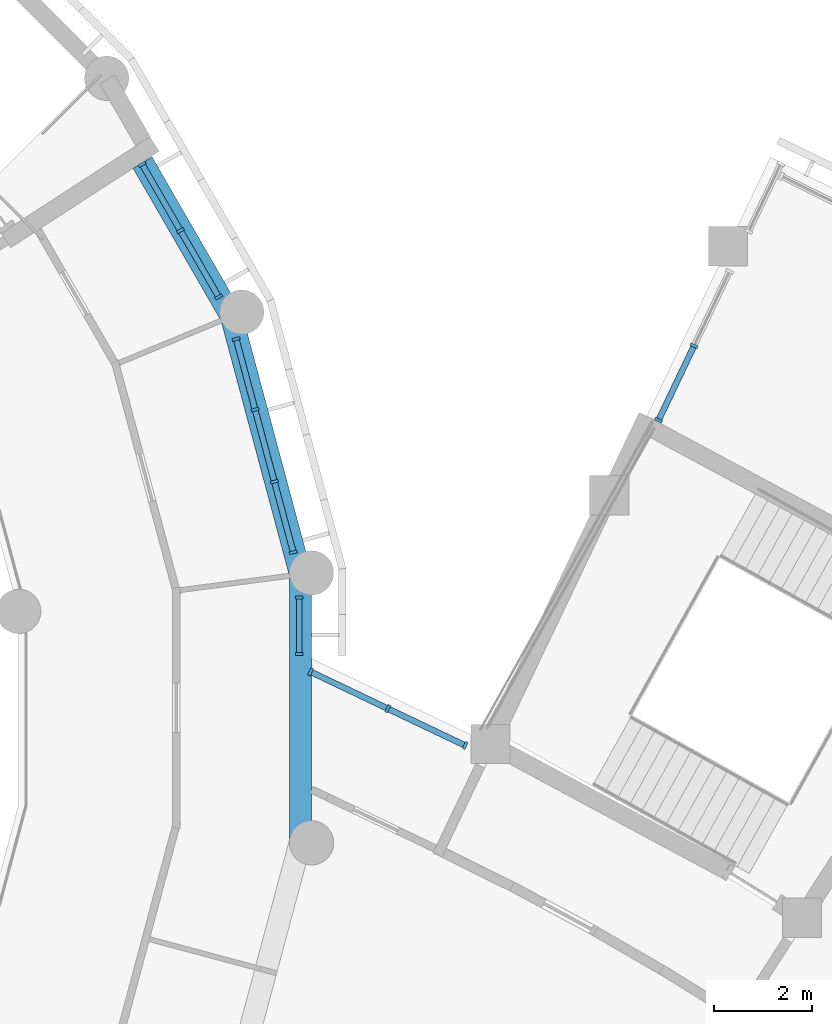
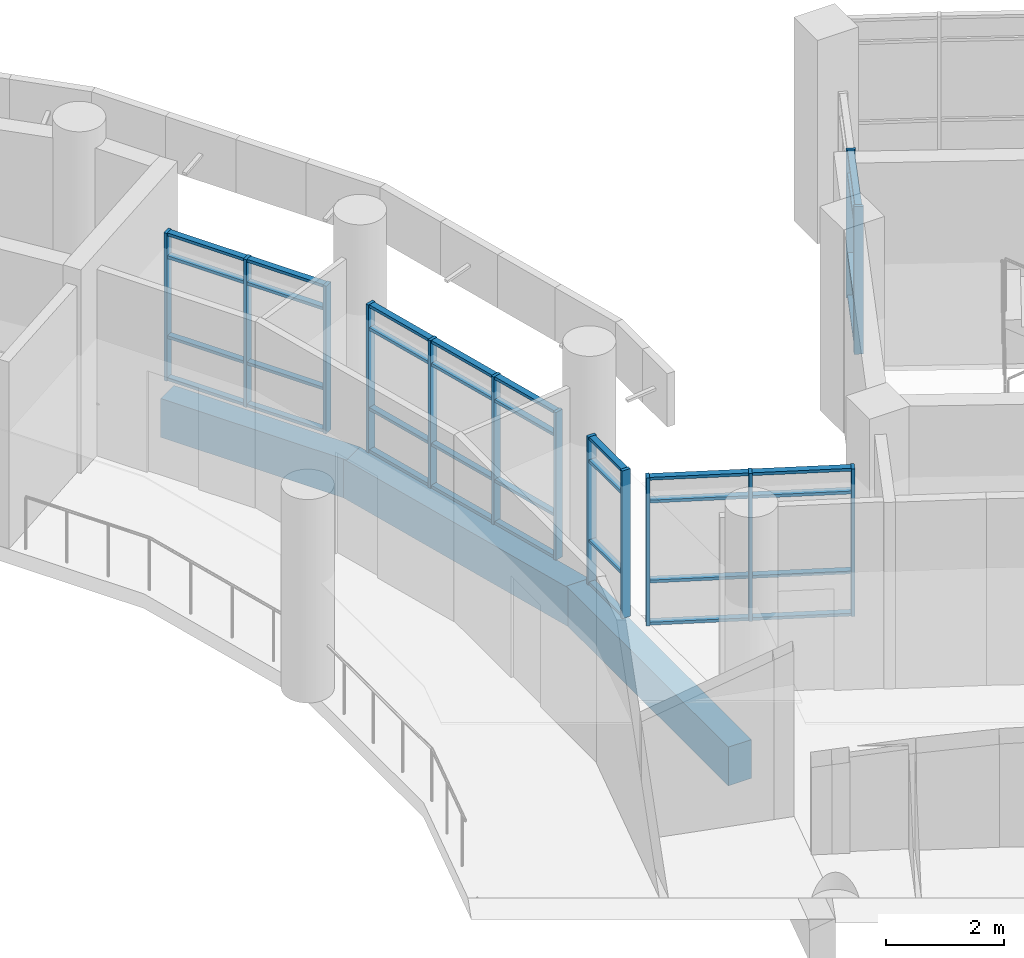
# One storey, part 15 of 109: 50 members, 3 beams, 5 elements without a shape of their own.
"""IFC4 building model written with IfcOpenShell, lengths in metres."""

from ifc_helpers import new_model, si_unit, direction, frame, origin, origin_2d, place, context, subcontext, project, spatial, rectangle, extrude, material, material_profile, profile_set, type_object, element, aggregate, save


model = new_model("IFC4")

# Units and contexts
model_context = context("Model", 3, precision=1e-05, world=origin(), true_north=direction((0.0, 1.0)))
body_context = subcontext(model_context, "Body", "Model", "MODEL_VIEW")
ifc_project = project(units=[si_unit("LENGTHUNIT", "METRE"), si_unit("AREAUNIT", "SQUARE_METRE"), si_unit("VOLUMEUNIT", "CUBIC_METRE"), si_unit("PLANEANGLEUNIT", "RADIAN"), si_unit("MASSUNIT", "GRAM", prefix="KILO")], contexts=[model_context])

# Site, building, storey
site_placement = place(None, origin())
site = spatial("IfcSite", under=ifc_project, at=site_placement, CompositionType="ELEMENT")
building_placement = place(site_placement, origin())
building = spatial("IfcBuilding", under=site, at=building_placement, Name="Bougainvillea Quay General Hospital", CompositionType="ELEMENT")
storey_placement = place(building_placement, frame((0.0, 0.0, 12.60009765625)))
storey = spatial("IfcBuildingStorey", under=building, at=storey_placement, Name="L02", CompositionType="ELEMENT", Elevation=12.60009765625)

# Curtain wall, members
ifc_material_1 = material(Name="Aluminium curtain wall system, powder-coated glazed", Category="aluminium")
curtain_wall_type_1 = type_object("IfcCurtainWallType", Name="Unitised curtain wall CW-1703", PredefinedType="NOTDEFINED", material=ifc_material_1)
curtain_wall_1_placement = place(storey_placement, origin())
curtain_wall_1 = element("IfcCurtainWall", 1, at=curtain_wall_1_placement, inside=storey, type_object=curtain_wall_type_1, Name="CW-AE 01", PredefinedType="NOTDEFINED")
ifc_material_2 = material(Name="Aluminium mullion, powder-coated charcoal", Category="aluminium")
ifc_material_profile_1 = material_profile(ifc_material_2, rectangle(XDim=0.159912109375, YDim=0.06005859375, at=origin_2d()))
ifc_profile_set_1 = profile_set([ifc_material_profile_1], Name="Aluminium mullion, powder-coated charcoal")
member_type_1 = type_object("IfcMemberType", Name="Curtain wall mullion 160x60", PredefinedType="MULLION", material=ifc_profile_set_1)
member_1_placement = place(storey_placement, frame((137.78662109375, 81.352294921875, 0.0), z_axis=(0.0, 0.0, 1.0), x_axis=(0.902576055431, -0.430530445105, 0.0)))
member_1 = element("IfcMember", 2, at=member_1_placement, type_object=member_type_1, Name="CW-AE mullion 2", PredefinedType="MULLION", context=body_context, shape_type="SweptSolid", body=[
    extrude(rectangle(XDim=0.159912109375, YDim=0.06005859375, at=origin_2d()), origin(), (0.0, 0.0, 1.0), 3.0498046875),
])
member_2_placement = place(storey_placement, frame((137.066650390625, 79.842529296875, 0.0), z_axis=(0.0, 0.0, 1.0), x_axis=(0.902576055431, -0.430530445105, 0.0)))
member_2 = element("IfcMember", 3, at=member_2_placement, type_object=member_type_1, Name="CW-AE mullion 3", PredefinedType="MULLION", context=body_context, shape_type="SweptSolid", body=[
    extrude(rectangle(XDim=0.159912109375, YDim=0.06005859375, at=origin_2d()), origin(), (0.0, 0.0, 1.0), 3.0498046875),
])

curtain_wall_type_2 = type_object("IfcCurtainWallType", Name="Unitised curtain wall CW-1770", PredefinedType="NOTDEFINED", material=ifc_material_1)
curtain_wall_2_placement = place(storey_placement, origin())
curtain_wall_2 = element("IfcCurtainWall", 4, at=curtain_wall_2_placement, inside=storey, type_object=curtain_wall_type_2, Name="CW-AE 00", PredefinedType="NOTDEFINED")
member_3_placement = place(storey_placement, frame((133.13916015625, 73.235107421875, 0.0), z_axis=(0.0, 0.0, 1.0), x_axis=(-0.430463026068, -0.902608211345, 0.0)))
member_3 = element("IfcMember", 5, at=member_3_placement, type_object=member_type_1, Name="CW-AE mullion 1", PredefinedType="MULLION", context=body_context, shape_type="SweptSolid", body=[
    extrude(rectangle(XDim=0.159912109375, YDim=0.06005859375, at=origin_2d()), origin(), (0.0, 0.0, 1.0), 3.0498046875),
])
member_4_placement = place(storey_placement, frame((131.5693359375, 73.983642578125, 0.0), z_axis=(0.0, 0.0, 1.0), x_axis=(-0.430463026068, -0.902608211345, 0.0)))
member_4 = element("IfcMember", 6, at=member_4_placement, type_object=member_type_1, Name="CW-AE mullion 2", PredefinedType="MULLION", context=body_context, shape_type="SweptSolid", body=[
    extrude(rectangle(XDim=0.159912109375, YDim=0.06005859375, at=origin_2d()), origin(), (0.0, 0.0, 1.0), 3.0498046875),
])
member_5_placement = place(storey_placement, frame((129.99951171875, 74.732421875, 0.0), z_axis=(0.0, 0.0, 1.0), x_axis=(-0.430463026068, -0.902608211345, 0.0)))
member_5 = element("IfcMember", 7, at=member_5_placement, type_object=member_type_1, Name="CW-AE mullion 3", PredefinedType="MULLION", context=body_context, shape_type="SweptSolid", body=[
    extrude(rectangle(XDim=0.159912109375, YDim=0.06005859375, at=origin_2d()), origin(), (0.0, 0.0, 1.0), 3.0498046875),
])

curtain_wall_type_3 = type_object("IfcCurtainWallType", Name="Unitised curtain wall CW-1211", PredefinedType="NOTDEFINED", material=ifc_material_1)
curtain_wall_3_placement = place(storey_placement, origin())
curtain_wall_3 = element("IfcCurtainWall", 8, at=curtain_wall_3_placement, inside=storey, type_object=curtain_wall_type_3, Name="CW-D 00", PredefinedType="NOTDEFINED")
member_6_placement = place(storey_placement, frame((129.77001953125, 75.090087890625, 0.0), z_axis=(0.0, 0.0, 1.0), x_axis=(-1.0, 0.0, 0.0)))
member_6 = element("IfcMember", 9, at=member_6_placement, type_object=member_type_1, Name="CW-D mullion 1", PredefinedType="MULLION", context=body_context, shape_type="SweptSolid", body=[
    extrude(rectangle(XDim=0.159912109375, YDim=0.06005859375, at=origin_2d()), origin(), (0.0, 0.0, 1.0), 3.0498046875),
])
member_7_placement = place(storey_placement, frame((129.77001953125, 76.240966796875, 0.0), z_axis=(0.0, 0.0, 1.0), x_axis=(-1.0, 0.0, 0.0)))
member_7 = element("IfcMember", 10, at=member_7_placement, type_object=member_type_1, Name="CW-D mullion 2", PredefinedType="MULLION", context=body_context, shape_type="SweptSolid", body=[
    extrude(rectangle(XDim=0.159912109375, YDim=0.06005859375, at=origin_2d()), origin(), (0.0, 0.0, 1.0), 3.0498046875),
])

curtain_wall_type_4 = type_object("IfcCurtainWallType", Name="Unitised curtain wall CW-1514", PredefinedType="NOTDEFINED", material=ifc_material_1)
curtain_wall_4_placement = place(storey_placement, origin())
curtain_wall_4 = element("IfcCurtainWall", 11, at=curtain_wall_4_placement, inside=storey, type_object=curtain_wall_type_4, Name="CW-D 00", PredefinedType="NOTDEFINED")
member_8_placement = place(storey_placement, frame((129.649169921875, 77.1591796875, 0.0), z_axis=(0.0, 0.0, 1.0), x_axis=(-0.965916292974, -0.258854621298, 0.0)))
member_8 = element("IfcMember", 12, at=member_8_placement, type_object=member_type_1, Name="CW-D mullion 1", PredefinedType="MULLION", context=body_context, shape_type="SweptSolid", body=[
    extrude(rectangle(XDim=0.159912109375, YDim=0.06005859375, at=origin_2d()), origin(), (0.0, 0.0, 1.0), 3.0498046875),
])
member_9_placement = place(storey_placement, frame((129.264892578125, 78.592529296875, 0.0), z_axis=(0.0, 0.0, 1.0), x_axis=(-0.965916292974, -0.258854621298, 0.0)))
member_9 = element("IfcMember", 13, at=member_9_placement, type_object=member_type_1, Name="CW-D mullion 2", PredefinedType="MULLION", context=body_context, shape_type="SweptSolid", body=[
    extrude(rectangle(XDim=0.159912109375, YDim=0.06005859375, at=origin_2d()), origin(), (0.0, 0.0, 1.0), 3.0498046875),
])
member_10_placement = place(storey_placement, frame((128.873046875, 80.054931640625, 0.0), z_axis=(0.0, 0.0, 1.0), x_axis=(-0.965916292974, -0.258854621298, 0.0)))
member_10 = element("IfcMember", 14, at=member_10_placement, type_object=member_type_1, Name="CW-D mullion 3", PredefinedType="MULLION", context=body_context, shape_type="SweptSolid", body=[
    extrude(rectangle(XDim=0.159912109375, YDim=0.06005859375, at=origin_2d()), origin(), (0.0, 0.0, 1.0), 3.0498046875),
])
member_11_placement = place(storey_placement, frame((128.489013671875, 81.48828125, 0.0), z_axis=(0.0, 0.0, 1.0), x_axis=(-0.965916292974, -0.258854621298, 0.0)))
member_11 = element("IfcMember", 15, at=member_11_placement, type_object=member_type_1, Name="CW-D mullion 4", PredefinedType="MULLION", context=body_context, shape_type="SweptSolid", body=[
    extrude(rectangle(XDim=0.159912109375, YDim=0.06005859375, at=origin_2d()), origin(), (0.0, 0.0, 1.0), 3.0498046875),
])

curtain_wall_type_5 = type_object("IfcCurtainWallType", Name="Unitised curtain wall CW-1585", PredefinedType="NOTDEFINED", material=ifc_material_1)
curtain_wall_5_placement = place(storey_placement, origin())
curtain_wall_5 = element("IfcCurtainWall", 16, at=curtain_wall_5_placement, inside=storey, type_object=curtain_wall_type_5, Name="CW-D 00", PredefinedType="NOTDEFINED")
member_12_placement = place(storey_placement, frame((128.134521484375, 82.343994140625, 0.0), z_axis=(0.0, 0.0, 1.0), x_axis=(-0.866045865692, -0.499964557262, 0.0)))
member_12 = element("IfcMember", 17, at=member_12_placement, type_object=member_type_1, Name="CW-D mullion 1", PredefinedType="MULLION", context=body_context, shape_type="SweptSolid", body=[
    extrude(rectangle(XDim=0.159912109375, YDim=0.06005859375, at=origin_2d()), origin(), (0.0, 0.0, 1.0), 3.0498046875),
])
member_13_placement = place(storey_placement, frame((127.357177734375, 83.690673828125, 0.0), z_axis=(0.0, 0.0, 1.0), x_axis=(-0.866045865692, -0.499964557262, 0.0)))
member_13 = element("IfcMember", 18, at=member_13_placement, type_object=member_type_1, Name="CW-D mullion 2", PredefinedType="MULLION", context=body_context, shape_type="SweptSolid", body=[
    extrude(rectangle(XDim=0.159912109375, YDim=0.06005859375, at=origin_2d()), origin(), (0.0, 0.0, 1.0), 3.0498046875),
])
member_14_placement = place(storey_placement, frame((126.579833984375, 85.037353515625, 0.0), z_axis=(0.0, 0.0, 1.0), x_axis=(-0.866045865692, -0.499964557262, 0.0)))
member_14 = element("IfcMember", 19, at=member_14_placement, type_object=member_type_1, Name="CW-D mullion 3", PredefinedType="MULLION", context=body_context, shape_type="SweptSolid", body=[
    extrude(rectangle(XDim=0.159912109375, YDim=0.06005859375, at=origin_2d()), origin(), (0.0, 0.0, 1.0), 3.0498046875),
])

# Member
ifc_material_3 = material(Name="Aluminium transom, powder-coated charcoal", Category="aluminium")
ifc_material_profile_2 = material_profile(ifc_material_3, rectangle(XDim=0.1201171875, YDim=0.06005859375, at=origin_2d()))
ifc_profile_set_2 = profile_set([ifc_material_profile_2], Name="Aluminium transom, powder-coated charcoal")
member_type_2 = type_object("IfcMemberType", Name="Curtain wall transom 120x60", PredefinedType="USERDEFINED", material=ifc_profile_set_2)
member_15_placement = place(storey_placement, frame((137.77392578125, 81.3251953125, 0.02978515625), z_axis=(-0.430667938991, -0.902510457737, 0.0), x_axis=(0.902510457737, -0.430667938991, 0.0)))
member_15 = element("IfcMember", 20, at=member_15_placement, type_object=member_type_2, Name="CW-AE transom 2.1", ObjectType="TRANSOM", PredefinedType="USERDEFINED", context=body_context, shape_type="SweptSolid", body=[
    extrude(rectangle(XDim=0.1201171875, YDim=0.06005859375, at=origin_2d()), origin(), (0.0, 0.0, 1.0), 1.61279296875),
])

member_16_placement = place(storey_placement, frame((137.77392578125, 81.3251953125, 0.89990234375), z_axis=(-0.430667938991, -0.902510457737, 0.0), x_axis=(0.902510457737, -0.430667938991, 0.0)))
member_16 = element("IfcMember", 21, at=member_16_placement, type_object=member_type_2, Name="CW-AE transom 2.2", ObjectType="TRANSOM", PredefinedType="USERDEFINED", context=body_context, shape_type="SweptSolid", body=[
    extrude(rectangle(XDim=0.1201171875, YDim=0.06005859375, at=origin_2d()), origin(), (0.0, 0.0, 1.0), 1.61279296875),
])

member_17_placement = place(storey_placement, frame((137.77392578125, 81.3251953125, 2.5498046875), z_axis=(-0.430667938991, -0.902510457737, 0.0), x_axis=(0.902510457737, -0.430667938991, 0.0)))
member_17 = element("IfcMember", 22, at=member_17_placement, type_object=member_type_2, Name="CW-AE transom 2.3", ObjectType="TRANSOM", PredefinedType="USERDEFINED", context=body_context, shape_type="SweptSolid", body=[
    extrude(rectangle(XDim=0.1201171875, YDim=0.06005859375, at=origin_2d()), origin(), (0.0, 0.0, 1.0), 1.61279296875),
])

member_18_placement = place(storey_placement, frame((137.77392578125, 81.3251953125, 3.02001953125), z_axis=(-0.430667938991, -0.902510457737, 0.0), x_axis=(0.902510457737, -0.430667938991, 0.0)))
member_18 = element("IfcMember", 23, at=member_18_placement, type_object=member_type_2, Name="CW-AE transom 2.4", ObjectType="TRANSOM", PredefinedType="USERDEFINED", context=body_context, shape_type="SweptSolid", body=[
    extrude(rectangle(XDim=0.1201171875, YDim=0.06005859375, at=origin_2d()), origin(), (0.0, 0.0, 1.0), 1.61279296875),
])

aggregate(curtain_wall_1, [member_1, member_2, member_15, member_16, member_17, member_18])

member_19_placement = place(storey_placement, frame((133.112060546875, 73.248046875, 0.02978515625), z_axis=(-0.90258890605, 0.430503503675, 0.0), x_axis=(-0.430503503675, -0.90258890605, 0.0)))
member_19 = element("IfcMember", 24, at=member_19_placement, type_object=member_type_2, Name="CW-AE transom 1.1", ObjectType="TRANSOM", PredefinedType="USERDEFINED", context=body_context, shape_type="SweptSolid", body=[
    extrude(rectangle(XDim=0.1201171875, YDim=0.06005859375, at=origin_2d()), origin(), (0.0, 0.0, 1.0), 1.67919921875),
])

member_20_placement = place(storey_placement, frame((133.112060546875, 73.248046875, 0.89990234375), z_axis=(-0.90258890605, 0.430503503675, 0.0), x_axis=(-0.430503503675, -0.90258890605, 0.0)))
member_20 = element("IfcMember", 25, at=member_20_placement, type_object=member_type_2, Name="CW-AE transom 1.2", ObjectType="TRANSOM", PredefinedType="USERDEFINED", context=body_context, shape_type="SweptSolid", body=[
    extrude(rectangle(XDim=0.1201171875, YDim=0.06005859375, at=origin_2d()), origin(), (0.0, 0.0, 1.0), 1.67919921875),
])

member_21_placement = place(storey_placement, frame((133.112060546875, 73.248046875, 2.5498046875), z_axis=(-0.90258890605, 0.430503503675, 0.0), x_axis=(-0.430503503675, -0.90258890605, 0.0)))
member_21 = element("IfcMember", 26, at=member_21_placement, type_object=member_type_2, Name="CW-AE transom 1.3", ObjectType="TRANSOM", PredefinedType="USERDEFINED", context=body_context, shape_type="SweptSolid", body=[
    extrude(rectangle(XDim=0.1201171875, YDim=0.06005859375, at=origin_2d()), origin(), (0.0, 0.0, 1.0), 1.67919921875),
])

member_22_placement = place(storey_placement, frame((133.112060546875, 73.248046875, 3.02001953125), z_axis=(-0.90258890605, 0.430503503675, 0.0), x_axis=(-0.430503503675, -0.90258890605, 0.0)))
member_22 = element("IfcMember", 27, at=member_22_placement, type_object=member_type_2, Name="CW-AE transom 1.4", ObjectType="TRANSOM", PredefinedType="USERDEFINED", context=body_context, shape_type="SweptSolid", body=[
    extrude(rectangle(XDim=0.1201171875, YDim=0.06005859375, at=origin_2d()), origin(), (0.0, 0.0, 1.0), 1.67919921875),
])

member_23_placement = place(storey_placement, frame((131.542236328125, 73.99658203125, 0.02978515625), z_axis=(-0.90258890605, 0.430503503675, 0.0), x_axis=(-0.430503503675, -0.90258890605, 0.0)))
member_23 = element("IfcMember", 28, at=member_23_placement, type_object=member_type_2, Name="CW-AE transom 2.1", ObjectType="TRANSOM", PredefinedType="USERDEFINED", context=body_context, shape_type="SweptSolid", body=[
    extrude(rectangle(XDim=0.1201171875, YDim=0.06005859375, at=origin_2d()), origin(), (0.0, 0.0, 1.0), 1.67919921875),
])

member_24_placement = place(storey_placement, frame((131.542236328125, 73.99658203125, 0.89990234375), z_axis=(-0.90258890605, 0.430503503675, 0.0), x_axis=(-0.430503503675, -0.90258890605, 0.0)))
member_24 = element("IfcMember", 29, at=member_24_placement, type_object=member_type_2, Name="CW-AE transom 2.2", ObjectType="TRANSOM", PredefinedType="USERDEFINED", context=body_context, shape_type="SweptSolid", body=[
    extrude(rectangle(XDim=0.1201171875, YDim=0.06005859375, at=origin_2d()), origin(), (0.0, 0.0, 1.0), 1.67919921875),
])

member_25_placement = place(storey_placement, frame((131.542236328125, 73.99658203125, 2.5498046875), z_axis=(-0.90258890605, 0.430503503675, 0.0), x_axis=(-0.430503503675, -0.90258890605, 0.0)))
member_25 = element("IfcMember", 30, at=member_25_placement, type_object=member_type_2, Name="CW-AE transom 2.3", ObjectType="TRANSOM", PredefinedType="USERDEFINED", context=body_context, shape_type="SweptSolid", body=[
    extrude(rectangle(XDim=0.1201171875, YDim=0.06005859375, at=origin_2d()), origin(), (0.0, 0.0, 1.0), 1.67919921875),
])

member_26_placement = place(storey_placement, frame((131.542236328125, 73.99658203125, 3.02001953125), z_axis=(-0.90258890605, 0.430503503675, 0.0), x_axis=(-0.430503503675, -0.90258890605, 0.0)))
member_26 = element("IfcMember", 31, at=member_26_placement, type_object=member_type_2, Name="CW-AE transom 2.4", ObjectType="TRANSOM", PredefinedType="USERDEFINED", context=body_context, shape_type="SweptSolid", body=[
    extrude(rectangle(XDim=0.1201171875, YDim=0.06005859375, at=origin_2d()), origin(), (0.0, 0.0, 1.0), 1.67919921875),
])

aggregate(curtain_wall_2, [member_3, member_4, member_5, member_19, member_20, member_21, member_22, member_23, member_24, member_25, member_26])

member_27_placement = place(storey_placement, frame((129.77001953125, 75.1201171875, 0.02978515625), z_axis=(0.0, 1.0, 0.0), x_axis=(-1.0, 0.0, 0.0)))
member_27 = element("IfcMember", 32, at=member_27_placement, type_object=member_type_2, Name="CW-D transom 1.1", ObjectType="TRANSOM", PredefinedType="USERDEFINED", context=body_context, shape_type="SweptSolid", body=[
    extrude(rectangle(XDim=0.1201171875, YDim=0.06005859375, at=origin_2d()), origin(), (0.0, 0.0, 1.0), 1.0908203125),
])

member_28_placement = place(storey_placement, frame((129.77001953125, 75.1201171875, 0.89990234375), z_axis=(0.0, 1.0, 0.0), x_axis=(-1.0, 0.0, 0.0)))
member_28 = element("IfcMember", 33, at=member_28_placement, type_object=member_type_2, Name="CW-D transom 1.2", ObjectType="TRANSOM", PredefinedType="USERDEFINED", context=body_context, shape_type="SweptSolid", body=[
    extrude(rectangle(XDim=0.1201171875, YDim=0.06005859375, at=origin_2d()), origin(), (0.0, 0.0, 1.0), 1.0908203125),
])

member_29_placement = place(storey_placement, frame((129.77001953125, 75.1201171875, 2.5498046875), z_axis=(0.0, 1.0, 0.0), x_axis=(-1.0, 0.0, 0.0)))
member_29 = element("IfcMember", 34, at=member_29_placement, type_object=member_type_2, Name="CW-D transom 1.3", ObjectType="TRANSOM", PredefinedType="USERDEFINED", context=body_context, shape_type="SweptSolid", body=[
    extrude(rectangle(XDim=0.1201171875, YDim=0.06005859375, at=origin_2d()), origin(), (0.0, 0.0, 1.0), 1.0908203125),
])

member_30_placement = place(storey_placement, frame((129.77001953125, 75.1201171875, 3.02001953125), z_axis=(0.0, 1.0, 0.0), x_axis=(-1.0, 0.0, 0.0)))
member_30 = element("IfcMember", 35, at=member_30_placement, type_object=member_type_2, Name="CW-D transom 1.4", ObjectType="TRANSOM", PredefinedType="USERDEFINED", context=body_context, shape_type="SweptSolid", body=[
    extrude(rectangle(XDim=0.1201171875, YDim=0.06005859375, at=origin_2d()), origin(), (0.0, 0.0, 1.0), 1.0908203125),
])

aggregate(curtain_wall_3, [member_6, member_7, member_27, member_28, member_29, member_30])

member_31_placement = place(storey_placement, frame((129.641357421875, 77.188232421875, 0.02978515625), z_axis=(-0.258878909043, 0.965909783806, 0.0), x_axis=(-0.965909783806, -0.258878909043, 0.0)))
member_31 = element("IfcMember", 36, at=member_31_placement, type_object=member_type_2, Name="CW-D transom 1.1", ObjectType="TRANSOM", PredefinedType="USERDEFINED", context=body_context, shape_type="SweptSolid", body=[
    extrude(rectangle(XDim=0.1201171875, YDim=0.06005859375, at=origin_2d()), origin(), (0.0, 0.0, 1.0), 1.424072265625),
])

member_32_placement = place(storey_placement, frame((129.641357421875, 77.188232421875, 0.89990234375), z_axis=(-0.258878909043, 0.965909783806, 0.0), x_axis=(-0.965909783806, -0.258878909043, 0.0)))
member_32 = element("IfcMember", 37, at=member_32_placement, type_object=member_type_2, Name="CW-D transom 1.2", ObjectType="TRANSOM", PredefinedType="USERDEFINED", context=body_context, shape_type="SweptSolid", body=[
    extrude(rectangle(XDim=0.1201171875, YDim=0.06005859375, at=origin_2d()), origin(), (0.0, 0.0, 1.0), 1.424072265625),
])

member_33_placement = place(storey_placement, frame((129.641357421875, 77.188232421875, 2.5498046875), z_axis=(-0.258878909043, 0.965909783806, 0.0), x_axis=(-0.965909783806, -0.258878909043, 0.0)))
member_33 = element("IfcMember", 38, at=member_33_placement, type_object=member_type_2, Name="CW-D transom 1.3", ObjectType="TRANSOM", PredefinedType="USERDEFINED", context=body_context, shape_type="SweptSolid", body=[
    extrude(rectangle(XDim=0.1201171875, YDim=0.06005859375, at=origin_2d()), origin(), (0.0, 0.0, 1.0), 1.424072265625),
])

member_34_placement = place(storey_placement, frame((129.641357421875, 77.188232421875, 3.02001953125), z_axis=(-0.258878909043, 0.965909783806, 0.0), x_axis=(-0.965909783806, -0.258878909043, 0.0)))
member_34 = element("IfcMember", 39, at=member_34_placement, type_object=member_type_2, Name="CW-D transom 1.4", ObjectType="TRANSOM", PredefinedType="USERDEFINED", context=body_context, shape_type="SweptSolid", body=[
    extrude(rectangle(XDim=0.1201171875, YDim=0.06005859375, at=origin_2d()), origin(), (0.0, 0.0, 1.0), 1.424072265625),
])

member_35_placement = place(storey_placement, frame((129.257080078125, 78.62158203125, 0.02978515625), z_axis=(-0.258780853081, 0.965936059001, 0.0), x_axis=(-0.965936059001, -0.258780853081, 0.0)))
member_35 = element("IfcMember", 40, at=member_35_placement, type_object=member_type_2, Name="CW-D transom 2.1", ObjectType="TRANSOM", PredefinedType="USERDEFINED", context=body_context, shape_type="SweptSolid", body=[
    extrude(rectangle(XDim=0.1201171875, YDim=0.06005859375, at=origin_2d()), origin(), (0.0, 0.0, 1.0), 1.453857421875),
])

member_36_placement = place(storey_placement, frame((129.257080078125, 78.62158203125, 0.89990234375), z_axis=(-0.258780853081, 0.965936059001, 0.0), x_axis=(-0.965936059001, -0.258780853081, 0.0)))
member_36 = element("IfcMember", 41, at=member_36_placement, type_object=member_type_2, Name="CW-D transom 2.2", ObjectType="TRANSOM", PredefinedType="USERDEFINED", context=body_context, shape_type="SweptSolid", body=[
    extrude(rectangle(XDim=0.1201171875, YDim=0.06005859375, at=origin_2d()), origin(), (0.0, 0.0, 1.0), 1.453857421875),
])

member_37_placement = place(storey_placement, frame((129.257080078125, 78.62158203125, 2.5498046875), z_axis=(-0.258780853081, 0.965936059001, 0.0), x_axis=(-0.965936059001, -0.258780853081, 0.0)))
member_37 = element("IfcMember", 42, at=member_37_placement, type_object=member_type_2, Name="CW-D transom 2.3", ObjectType="TRANSOM", PredefinedType="USERDEFINED", context=body_context, shape_type="SweptSolid", body=[
    extrude(rectangle(XDim=0.1201171875, YDim=0.06005859375, at=origin_2d()), origin(), (0.0, 0.0, 1.0), 1.453857421875),
])

member_38_placement = place(storey_placement, frame((129.257080078125, 78.62158203125, 3.02001953125), z_axis=(-0.258780853081, 0.965936059001, 0.0), x_axis=(-0.965936059001, -0.258780853081, 0.0)))
member_38 = element("IfcMember", 43, at=member_38_placement, type_object=member_type_2, Name="CW-D transom 2.4", ObjectType="TRANSOM", PredefinedType="USERDEFINED", context=body_context, shape_type="SweptSolid", body=[
    extrude(rectangle(XDim=0.1201171875, YDim=0.06005859375, at=origin_2d()), origin(), (0.0, 0.0, 1.0), 1.453857421875),
])

member_39_placement = place(storey_placement, frame((128.865234375, 80.083984375, 0.02978515625), z_axis=(-0.258718945225, 0.965952642411, 0.0), x_axis=(-0.965952642411, -0.258718945225, 0.0)))
member_39 = element("IfcMember", 44, at=member_39_placement, type_object=member_type_2, Name="CW-D transom 3.1", ObjectType="TRANSOM", PredefinedType="USERDEFINED", context=body_context, shape_type="SweptSolid", body=[
    extrude(rectangle(XDim=0.1201171875, YDim=0.06005859375, at=origin_2d()), origin(), (0.0, 0.0, 1.0), 1.424072265625),
])

member_40_placement = place(storey_placement, frame((128.865234375, 80.083984375, 0.89990234375), z_axis=(-0.258718945225, 0.965952642411, 0.0), x_axis=(-0.965952642411, -0.258718945225, 0.0)))
member_40 = element("IfcMember", 45, at=member_40_placement, type_object=member_type_2, Name="CW-D transom 3.2", ObjectType="TRANSOM", PredefinedType="USERDEFINED", context=body_context, shape_type="SweptSolid", body=[
    extrude(rectangle(XDim=0.1201171875, YDim=0.06005859375, at=origin_2d()), origin(), (0.0, 0.0, 1.0), 1.424072265625),
])

member_41_placement = place(storey_placement, frame((128.865234375, 80.083984375, 2.5498046875), z_axis=(-0.258718945225, 0.965952642411, 0.0), x_axis=(-0.965952642411, -0.258718945225, 0.0)))
member_41 = element("IfcMember", 46, at=member_41_placement, type_object=member_type_2, Name="CW-D transom 3.3", ObjectType="TRANSOM", PredefinedType="USERDEFINED", context=body_context, shape_type="SweptSolid", body=[
    extrude(rectangle(XDim=0.1201171875, YDim=0.06005859375, at=origin_2d()), origin(), (0.0, 0.0, 1.0), 1.424072265625),
])

member_42_placement = place(storey_placement, frame((128.865234375, 80.083984375, 3.02001953125), z_axis=(-0.258718945225, 0.965952642411, 0.0), x_axis=(-0.965952642411, -0.258718945225, 0.0)))
member_42 = element("IfcMember", 47, at=member_42_placement, type_object=member_type_2, Name="CW-D transom 3.4", ObjectType="TRANSOM", PredefinedType="USERDEFINED", context=body_context, shape_type="SweptSolid", body=[
    extrude(rectangle(XDim=0.1201171875, YDim=0.06005859375, at=origin_2d()), origin(), (0.0, 0.0, 1.0), 1.424072265625),
])

aggregate(curtain_wall_4, [member_8, member_9, member_10, member_11, member_31, member_32, member_33, member_34, member_35, member_36, member_37, member_38, member_39, member_40, member_41, member_42])

member_43_placement = place(storey_placement, frame((128.11962890625, 82.3701171875, 0.02978515625), z_axis=(-0.500108879088, 0.865962533287, 0.0), x_axis=(-0.865962533287, -0.500108879088, 0.0)))
member_43 = element("IfcMember", 48, at=member_43_placement, type_object=member_type_2, Name="CW-D transom 1.1", ObjectType="TRANSOM", PredefinedType="USERDEFINED", context=body_context, shape_type="SweptSolid", body=[
    extrude(rectangle(XDim=0.1201171875, YDim=0.06005859375, at=origin_2d()), origin(), (0.0, 0.0, 1.0), 1.494873046875),
])

member_44_placement = place(storey_placement, frame((128.11962890625, 82.3701171875, 0.89990234375), z_axis=(-0.500108879088, 0.865962533287, 0.0), x_axis=(-0.865962533287, -0.500108879088, 0.0)))
member_44 = element("IfcMember", 49, at=member_44_placement, type_object=member_type_2, Name="CW-D transom 1.2", ObjectType="TRANSOM", PredefinedType="USERDEFINED", context=body_context, shape_type="SweptSolid", body=[
    extrude(rectangle(XDim=0.1201171875, YDim=0.06005859375, at=origin_2d()), origin(), (0.0, 0.0, 1.0), 1.494873046875),
])

member_45_placement = place(storey_placement, frame((128.11962890625, 82.3701171875, 2.5498046875), z_axis=(-0.500108879088, 0.865962533287, 0.0), x_axis=(-0.865962533287, -0.500108879088, 0.0)))
member_45 = element("IfcMember", 50, at=member_45_placement, type_object=member_type_2, Name="CW-D transom 1.3", ObjectType="TRANSOM", PredefinedType="USERDEFINED", context=body_context, shape_type="SweptSolid", body=[
    extrude(rectangle(XDim=0.1201171875, YDim=0.06005859375, at=origin_2d()), origin(), (0.0, 0.0, 1.0), 1.494873046875),
])

member_46_placement = place(storey_placement, frame((128.11962890625, 82.3701171875, 3.02001953125), z_axis=(-0.500108879088, 0.865962533287, 0.0), x_axis=(-0.865962533287, -0.500108879088, 0.0)))
member_46 = element("IfcMember", 51, at=member_46_placement, type_object=member_type_2, Name="CW-D transom 1.4", ObjectType="TRANSOM", PredefinedType="USERDEFINED", context=body_context, shape_type="SweptSolid", body=[
    extrude(rectangle(XDim=0.1201171875, YDim=0.06005859375, at=origin_2d()), origin(), (0.0, 0.0, 1.0), 1.494873046875),
])

member_47_placement = place(storey_placement, frame((127.342041015625, 83.716552734375, 0.02978515625), z_axis=(-0.499915667175, 0.866074087889, 0.0), x_axis=(-0.866074087889, -0.499915667175, 0.0)))
member_47 = element("IfcMember", 52, at=member_47_placement, type_object=member_type_2, Name="CW-D transom 2.1", ObjectType="TRANSOM", PredefinedType="USERDEFINED", context=body_context, shape_type="SweptSolid", body=[
    extrude(rectangle(XDim=0.1201171875, YDim=0.06005859375, at=origin_2d()), origin(), (0.0, 0.0, 1.0), 1.494873046875),
])

member_48_placement = place(storey_placement, frame((127.342041015625, 83.716552734375, 0.89990234375), z_axis=(-0.499915667175, 0.866074087889, 0.0), x_axis=(-0.866074087889, -0.499915667175, 0.0)))
member_48 = element("IfcMember", 53, at=member_48_placement, type_object=member_type_2, Name="CW-D transom 2.2", ObjectType="TRANSOM", PredefinedType="USERDEFINED", context=body_context, shape_type="SweptSolid", body=[
    extrude(rectangle(XDim=0.1201171875, YDim=0.06005859375, at=origin_2d()), origin(), (0.0, 0.0, 1.0), 1.494873046875),
])

member_49_placement = place(storey_placement, frame((127.342041015625, 83.716552734375, 2.5498046875), z_axis=(-0.499915667175, 0.866074087889, 0.0), x_axis=(-0.866074087889, -0.499915667175, 0.0)))
member_49 = element("IfcMember", 54, at=member_49_placement, type_object=member_type_2, Name="CW-D transom 2.3", ObjectType="TRANSOM", PredefinedType="USERDEFINED", context=body_context, shape_type="SweptSolid", body=[
    extrude(rectangle(XDim=0.1201171875, YDim=0.06005859375, at=origin_2d()), origin(), (0.0, 0.0, 1.0), 1.494873046875),
])

member_50_placement = place(storey_placement, frame((127.342041015625, 83.716552734375, 3.02001953125), z_axis=(-0.499915667175, 0.866074087889, 0.0), x_axis=(-0.866074087889, -0.499915667175, 0.0)))
member_50 = element("IfcMember", 55, at=member_50_placement, type_object=member_type_2, Name="CW-D transom 2.4", ObjectType="TRANSOM", PredefinedType="USERDEFINED", context=body_context, shape_type="SweptSolid", body=[
    extrude(rectangle(XDim=0.1201171875, YDim=0.06005859375, at=origin_2d()), origin(), (0.0, 0.0, 1.0), 1.494873046875),
])

aggregate(curtain_wall_5, [member_12, member_13, member_14, member_43, member_44, member_45, member_46, member_47, member_48, member_49, member_50])

# Beams
ifc_material_4 = material(Name="Concrete C40", Category="concrete")
ifc_material_profile_3 = material_profile(ifc_material_4, rectangle(XDim=0.449951171875, YDim=0.800048828125, at=origin_2d()))
ifc_profile_set_3 = profile_set([ifc_material_profile_3], Name="Concrete C40")
beam_type = type_object("IfcBeamType", Name="RC BEAM 450x800 C40", PredefinedType="BEAM", material=ifc_profile_set_3)
beam_1_placement = place(storey_placement, frame((129.794921875, 71.259033203125, -0.7001953125), z_axis=(0.0, 1.0, 0.0), x_axis=(-1.0, 0.0, 0.0)))
element("IfcBeam", 56, at=beam_1_placement, inside=storey, type_object=beam_type, Name="Edge beam L02", PredefinedType="BEAM", context=body_context, shape_type="SweptSolid", body=[
    extrude(rectangle(XDim=0.449951171875, YDim=0.800048828125, at=origin_2d()), origin(), (0.0, 0.0, 1.0), 5.48193359375),
])
beam_2_placement = place(storey_placement, frame((129.802734375, 76.682861328125, -0.7001953125), z_axis=(-0.258848876884, 0.965917832393, 0.0), x_axis=(-0.965917832393, -0.258848876884, 0.0)))
element("IfcBeam", 57, at=beam_2_placement, inside=storey, type_object=beam_type, Name="Edge beam L02", PredefinedType="BEAM", context=body_context, shape_type="SweptSolid", body=[
    extrude(rectangle(XDim=0.449951171875, YDim=0.800048828125, at=origin_2d()), origin(), (0.0, 0.0, 1.0), 5.481689453125),
])
beam_3_placement = place(storey_placement, frame((128.40625, 81.923583984375, -0.7001953125), z_axis=(-0.499976434558, 0.866039008871, 0.0), x_axis=(-0.866039008871, -0.499976434558, 0.0)))
element("IfcBeam", 58, at=beam_3_placement, inside=storey, type_object=beam_type, Name="Edge beam L02", PredefinedType="BEAM", context=body_context, shape_type="SweptSolid", body=[
    extrude(rectangle(XDim=0.449951171875, YDim=0.800048828125, at=origin_2d()), origin(), (0.0, 0.0, 1.0), 3.633544921875),
])

save(model, "model.ifc")
